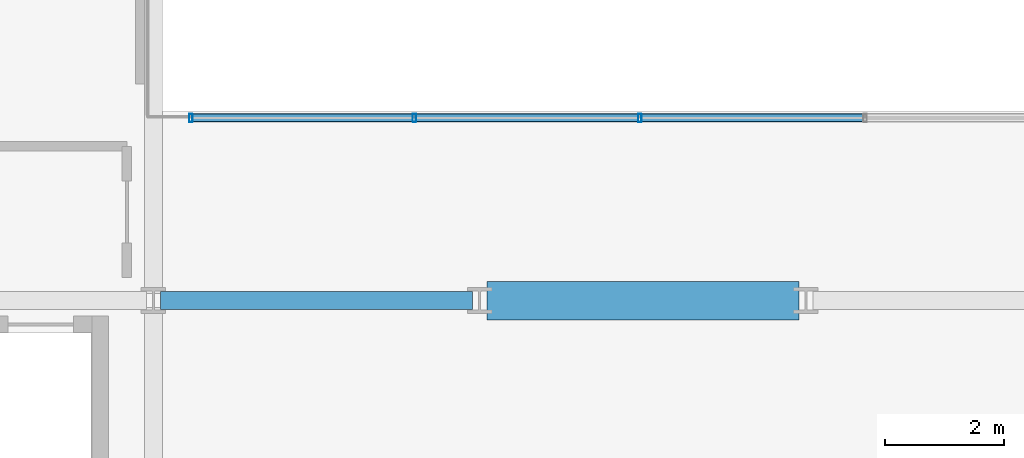
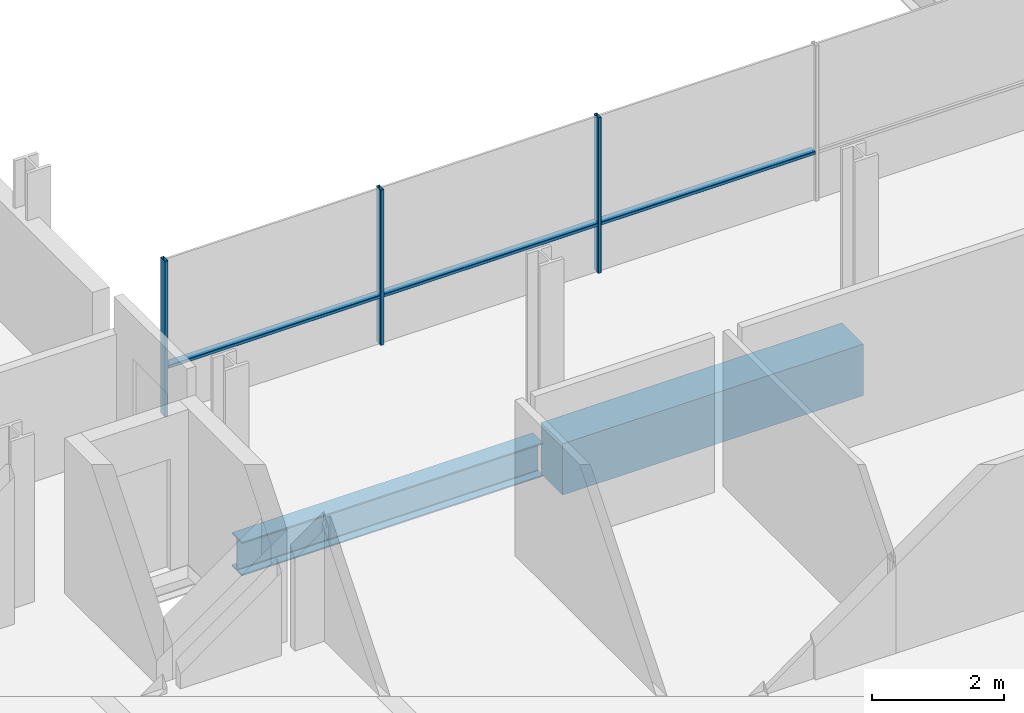
# One storey, part 4 of 40: 6 members, 2 beams, 1 element without a shape of its own.
"""IFC4 building model written with IfcOpenShell, lengths in metres."""

import ifcopenshell
import ifcopenshell.guid

model = None  # the IFC model being written
_history = None  # IfcOwnerHistory: only IFC2X3 demands one
_inside = {}  # id of a spatial element -> (the spatial element, [elements in it])
_under = {}  # id of a project, library or spatial element -> (it, [spatial elements below it])
_declared = {}  # id of a project -> (the project, [libraries it declares])
_typed = {}  # id of a type object -> (the type object, [elements of that type])
_made_of = {}  # id of a material, layer set ... -> (it, [elements and type objects made of it])


def new_model(schema):
    """Start an empty IFC model of exactly this schema.

    Asked for "IFC4X3", IfcOpenShell would pick the latest addendum, in which some entities
    have other attributes; the version numbers below select the first issue.
    IFC2X3 requires an IfcOwnerHistory on every rooted entity: one is made here for all.
    """
    global model, _history
    if schema == "IFC4X3":
        model = ifcopenshell.file(schema_version=(4, 3, 0, 0))
    else:
        model = ifcopenshell.file(schema=schema)
    _inside.clear()
    _under.clear()
    _declared.clear()
    _typed.clear()
    _made_of.clear()
    _history = None
    if model.schema == "IFC2X3":
        org = make("IfcOrganization", Name="unknown")
        user = make(
            "IfcPersonAndOrganization",
            ThePerson=make("IfcPerson", FamilyName="unknown"),
            TheOrganization=org,
        )
        app = make(
            "IfcApplication",
            ApplicationDeveloper=org,
            Version="unknown",
            ApplicationFullName="unknown",
            ApplicationIdentifier="unknown",
        )
        _history = make(
            "IfcOwnerHistory",
            OwningUser=user,
            OwningApplication=app,
            ChangeAction="ADDED",
            CreationDate=0,
        )
    return model


def make(cls, **values):
    """One entity of the class cls with the attributes given. An attribute that is None is left unset."""
    return model.create_entity(
        cls, **{name: value for name, value in values.items() if value is not None}
    )


def rooted(cls, **values):
    """An entity with a GlobalId (a new one), such as an element, a storey or a relation."""
    return make(cls, GlobalId=ifcopenshell.guid.new(), OwnerHistory=_history, **values)


def si_unit(unit_type, name, prefix=None):
    """IfcSIUnit, for example si_unit("LENGTHUNIT", "METRE", prefix="MILLI")."""
    return make("IfcSIUnit", UnitType=unit_type, Prefix=prefix, Name=name)


def assignment(units):
    """IfcUnitAssignment: the units of a project."""
    return None if units is None else make("IfcUnitAssignment", Units=units)


def point(xyz):
    """IfcCartesianPoint."""
    return None if xyz is None else make("IfcCartesianPoint", Coordinates=xyz)


def direction(xyz):
    """IfcDirection."""
    return None if xyz is None else make("IfcDirection", DirectionRatios=xyz)


def frame(location, z_axis=None, x_axis=None):
    """IfcAxis2Placement3D, a coordinate frame: its origin and axes. An axis left out is left unset."""
    return make(
        "IfcAxis2Placement3D",
        Location=point(location),
        Axis=direction(z_axis),
        RefDirection=direction(x_axis),
    )


def frame_2d(location, x_axis=None):
    """IfcAxis2Placement2D, a coordinate frame in the plane: its origin and x axis."""
    return make(
        "IfcAxis2Placement2D", Location=point(location), RefDirection=direction(x_axis)
    )


def origin():
    """The frame at (0, 0, 0) with its axes left unset."""
    return frame((0.0, 0.0, 0.0))


def origin_2d():
    """The frame at (0, 0) in the plane with its x axis left unset."""
    return frame_2d((0.0, 0.0))


def place(relative_to, where):
    """IfcLocalPlacement: puts the frame where relative to a parent placement (None: the world)."""
    return make(
        "IfcLocalPlacement", PlacementRelTo=relative_to, RelativePlacement=where
    )


def context(
    kind, dimensions, precision=None, world=None, true_north=None, identifier=None
):
    """IfcGeometricRepresentationContext, for example the 3D "Model" context."""
    return make(
        "IfcGeometricRepresentationContext",
        ContextIdentifier=identifier,
        ContextType=kind,
        CoordinateSpaceDimension=dimensions,
        Precision=precision,
        WorldCoordinateSystem=world,
        TrueNorth=true_north,
    )


def subcontext(parent, identifier, kind, view, scale=None):
    """IfcGeometricRepresentationSubContext, for example "Body" below "Model"."""
    return make(
        "IfcGeometricRepresentationSubContext",
        ContextIdentifier=identifier,
        ContextType=kind,
        ParentContext=parent,
        TargetScale=scale,
        TargetView=view,
    )


def project(units=None, contexts=None):
    """IfcProject with its units and contexts."""
    return rooted(
        "IfcProject",
        Name="project",
        RepresentationContexts=contexts,
        UnitsInContext=assignment(units),
    )


def spatial(cls, under=None, at=None, **own):
    """A site, building, storey or space (cls), placed at a placement, below another one or the project."""
    s = rooted(cls, ObjectPlacement=at, **own)
    if under is not None:
        _under.setdefault(under.id(), (under, []))[1].append(s)
    return s


def profile(cls, at=None, kind="AREA", **sizes):
    """A parametric profile (cls). Its sizes go by their IFC names, for example OverallWidth=200.0."""
    return make(cls, ProfileType=kind, Position=at, **sizes)


def rectangle(**sizes):
    """IfcRectangleProfileDef."""
    return profile("IfcRectangleProfileDef", **sizes)


def hollow_rectangle(**sizes):
    """IfcRectangleHollowProfileDef."""
    return profile("IfcRectangleHollowProfileDef", **sizes)


def i_section(**sizes):
    """IfcIShapeProfileDef."""
    return profile("IfcIShapeProfileDef", **sizes)


def extrude(swept, where, along, depth):
    """IfcExtrudedAreaSolid: the profile swept, set in the frame where, extruded along a direction by depth."""
    return make(
        "IfcExtrudedAreaSolid",
        SweptArea=swept,
        Position=where,
        ExtrudedDirection=direction(along),
        Depth=depth,
    )


def shape(context_of_items, identifier, shape_type, items):
    """IfcShapeRepresentation: the items that make up one representation, for example the "Body"."""
    return make(
        "IfcShapeRepresentation",
        ContextOfItems=context_of_items,
        RepresentationIdentifier=identifier,
        RepresentationType=shape_type,
        Items=items,
    )


def material(Name=None, Category=None):
    """IfcMaterial."""
    return make("IfcMaterial", Name=Name, Category=Category)


def layer(
    of_material, thickness, ventilated=None, Name=None, Category=None, Priority=None
):
    """IfcMaterialLayer: one layer of a wall or slab, of a material (None: an air gap)."""
    return make(
        "IfcMaterialLayer",
        Material=of_material,
        LayerThickness=thickness,
        IsVentilated=ventilated,
        Name=Name,
        Category=Category,
        Priority=Priority,
    )


def layer_set(layers, Name=None):
    """IfcMaterialLayerSet."""
    return make("IfcMaterialLayerSet", MaterialLayers=layers, LayerSetName=Name)


def material_profile(
    of_material, cross_section, Name=None, Category=None, Priority=None
):
    """IfcMaterialProfile: a cross section and its material."""
    return make(
        "IfcMaterialProfile",
        Name=Name,
        Material=of_material,
        Profile=cross_section,
        Priority=Priority,
        Category=Category,
    )


def profile_set(profiles, Name=None, composite=None):
    """IfcMaterialProfileSet."""
    return make(
        "IfcMaterialProfileSet",
        Name=Name,
        MaterialProfiles=profiles,
        CompositeProfile=composite,
    )


def made_of(thing, what):
    """Note that an element or type object is made of a material, layer set ...; save() writes the relation."""
    if what is not None:
        _made_of.setdefault(what.id(), (what, []))[1].append(thing)
    return thing


def type_object(cls, material=None, **own):
    """A type object (cls), such as IfcWallType, which elements share."""
    return made_of(rooted(cls, **own), material)


def element(
    cls,
    number,
    at=None,
    inside=None,
    cuts=None,
    type_object=None,
    material=None,
    context=None,
    identifier="Body",
    shape_type=None,
    held_by="IfcProductDefinitionShape",
    body=None,
    shapes=None,
    **own,
):
    """One element of the class cls, such as IfcWall. Its Tag is "e" and its number.

    at: its placement. inside: the storey or other place that contains it. cuts: it is an
    opening in that element (IfcRelVoidsElement). A single representation is given by context,
    identifier, shape_type and body (its items); several are given by shapes. held_by: the class
    of the entity that holds the representations. save() writes the other relations.
    """
    e = rooted(cls, Tag="e%d" % number, ObjectPlacement=at, **own)
    if body is not None:
        shapes = [shape(context, identifier, shape_type, body)]
    if shapes is not None:
        e.Representation = make(held_by, Representations=shapes)
    if inside is not None:
        _inside.setdefault(inside.id(), (inside, []))[1].append(e)
    if cuts is not None:
        rooted(
            "IfcRelVoidsElement", RelatingBuildingElement=cuts, RelatedOpeningElement=e
        )
    if type_object is not None:
        _typed.setdefault(type_object.id(), (type_object, []))[1].append(e)
    return made_of(e, material)


def aggregate(whole, parts):
    """IfcRelAggregates: a whole, such as a stair, and the parts it consists of."""
    return rooted("IfcRelAggregates", RelatingObject=whole, RelatedObjects=parts)


def save(model, path):
    """Write the relations noted so far, then the file.

    IfcRelAggregates (storeys below a building ...), IfcRelContainedInSpatialStructure (elements
    in a storey), IfcRelDefinesByType, IfcRelAssociatesMaterial and IfcRelDeclares: one each for
    every whole, place, type object, material and project.
    """
    for whole, parts in _under.values():
        aggregate(whole, parts)
    for where, things in _inside.values():
        rooted(
            "IfcRelContainedInSpatialStructure",
            RelatedElements=things,
            RelatingStructure=where,
        )
    for kind, things in _typed.values():
        rooted("IfcRelDefinesByType", RelatedObjects=things, RelatingType=kind)
    for what, things in _made_of.values():
        rooted("IfcRelAssociatesMaterial", RelatedObjects=things, RelatingMaterial=what)
    for by, libraries in _declared.values():
        rooted("IfcRelDeclares", RelatingContext=by, RelatedDefinitions=libraries)
    model.write(path)


model = new_model("IFC4")

# Units and contexts
model_context = context("Model", 3, precision=1e-05, world=origin(), true_north=direction((0.0, 1.0)))
body_context = subcontext(model_context, "Body", "Model", "MODEL_VIEW")
ifc_project = project(units=[si_unit("LENGTHUNIT", "METRE"), si_unit("AREAUNIT", "SQUARE_METRE"), si_unit("VOLUMEUNIT", "CUBIC_METRE"), si_unit("PLANEANGLEUNIT", "RADIAN"), si_unit("MASSUNIT", "GRAM", prefix="KILO")], contexts=[model_context])

# Site, building, storey
site_placement = place(None, origin())
site = spatial("IfcSite", under=ifc_project, at=site_placement, CompositionType="ELEMENT")
building_placement = place(site_placement, origin())
building = spatial("IfcBuilding", under=site, at=building_placement, Name="Brevholm Reach", CompositionType="ELEMENT")
storey_placement = place(building_placement, frame((0.0, 0.0, 80.699951171875)))
storey = spatial("IfcBuildingStorey", under=building, at=storey_placement, Name="L23", CompositionType="ELEMENT", Elevation=80.699951171875)

# Beams
ifc_material_1 = material(Name="Concrete C60/75", Category="concrete")
ifc_material_profile_1 = material_profile(ifc_material_1, rectangle(XDim=0.64990234375, YDim=0.949951171875, at=origin_2d()), Name="RC 650x950")
ifc_profile_set_1 = profile_set([ifc_material_profile_1], Name="Concrete C60/75")
beam_type_1 = type_object("IfcBeamType", Name="BM-CB650", PredefinedType="LINTEL", material=ifc_profile_set_1)
beam_1_placement = place(storey_placement, frame((27.3701171875, 10.0, -0.704833984375), z_axis=(1.0, 0.0, 0.0), x_axis=(0.0, 1.0, 0.0)))
element("IfcBeam", 1, at=beam_1_placement, inside=storey, type_object=beam_type_1, Name="L23 CB-01 Framing Beam", PredefinedType="LINTEL", context=body_context, shape_type="SweptSolid", body=[
    extrude(rectangle(XDim=0.64990234375, YDim=0.949951171875, at=origin_2d()), origin(), (0.0, 0.0, 1.0), 5.259765625),
])
ifc_material_2 = material(Name="Structural Steel S355J2", Category="steel")
ifc_material_profile_2 = material_profile(ifc_material_2, i_section(OverallWidth=0.30712890625, OverallDepth=0.6201171875, WebThickness=0.01416015625, FlangeThickness=0.023681640625, FilletRadius=0.0166015625, at=origin_2d()), Name="UKB 610x305x179")
ifc_profile_set_2 = profile_set([ifc_material_profile_2], Name="Structural Steel S355J2")
beam_type_2 = type_object("IfcBeamType", Name="BM-UKB610H", PredefinedType="USERDEFINED", material=ifc_profile_set_2)
beam_2_placement = place(storey_placement, frame((21.8701171875, 10.0, -0.5400390625), z_axis=(1.0, 0.0, 0.0), x_axis=(0.0, 1.0, 0.0)))
element("IfcBeam", 2, at=beam_2_placement, inside=storey, type_object=beam_type_2, Name="L23 G-06 Framing Beam", ObjectType="GIRDER", PredefinedType="USERDEFINED", context=body_context, shape_type="SweptSolid", body=[
    extrude(i_section(OverallWidth=0.30712890625, OverallDepth=0.6201171875, WebThickness=0.01416015625, FlangeThickness=0.023681640625, FilletRadius=0.0166015625, at=origin_2d()), origin(), (0.0, 0.0, 1.0), 5.259765625),
])

# Curtain wall, members
ifc_material_3 = material(Name="Dark Anodised Aluminium 6063-T6 and Solar-Control Glass", Category="aluminium")
ifc_layer = layer(ifc_material_3, 0.139892578125)
ifc_layer_set = layer_set([ifc_layer], Name="Dark Anodised Aluminium 6063-T6 and Solar-Control Glass")
curtain_wall_type = type_object("IfcCurtainWallType", Name="CW-02", PredefinedType="NOTDEFINED", material=ifc_layer_set)
curtain_wall_placement = place(storey_placement, origin())
curtain_wall = element("IfcCurtainWall", 3, at=curtain_wall_placement, inside=storey, type_object=curtain_wall_type, Name="L23 Curtain Wall CW-02", PredefinedType="NOTDEFINED")
ifc_material_4 = material(Name="Dark Anodised Aluminium 6063-T6", Category="aluminium")
ifc_material_profile_3 = material_profile(ifc_material_4, hollow_rectangle(XDim=0.06005859375, YDim=0.139892578125, WallThickness=0.0048828125, InnerFilletRadius=0.0048828125, OuterFilletRadius=0.010009765625, at=origin_2d()), Name="RHS 140x60x5")
ifc_profile_set_3 = profile_set([ifc_material_profile_3], Name="Dark Anodised Aluminium 6063-T6")
member_type_1 = type_object("IfcMemberType", Name="CWM-140", PredefinedType="MULLION", material=ifc_profile_set_3)
member_1_placement = place(storey_placement, frame((22.3798828125, 13.080078125, 0.0), z_axis=(0.0, 0.0, 1.0), x_axis=(1.0, 0.0, 0.0)))
member_1 = element("IfcMember", 4, at=member_1_placement, type_object=member_type_1, Name="CM-140 Mullion 1", PredefinedType="MULLION", context=body_context, shape_type="SweptSolid", body=[
    extrude(hollow_rectangle(XDim=0.06005859375, YDim=0.139892578125, WallThickness=0.0048828125, InnerFilletRadius=0.0048828125, OuterFilletRadius=0.010009765625, at=origin_2d()), origin(), (0.0, 0.0, 1.0), 2.8701171875),
])
member_2_placement = place(storey_placement, frame((26.14990234375, 13.080078125, 0.0), z_axis=(0.0, 0.0, 1.0), x_axis=(1.0, 0.0, 0.0)))
member_2 = element("IfcMember", 5, at=member_2_placement, type_object=member_type_1, Name="CM-140 Mullion 2", PredefinedType="MULLION", context=body_context, shape_type="SweptSolid", body=[
    extrude(hollow_rectangle(XDim=0.06005859375, YDim=0.139892578125, WallThickness=0.0048828125, InnerFilletRadius=0.0048828125, OuterFilletRadius=0.010009765625, at=origin_2d()), origin(), (0.0, 0.0, 1.0), 2.8701171875),
])
member_3_placement = place(storey_placement, frame((29.949951171875, 13.080078125, 0.0), z_axis=(0.0, 0.0, 1.0), x_axis=(1.0, 0.0, 0.0)))
member_3 = element("IfcMember", 6, at=member_3_placement, type_object=member_type_1, Name="CM-140 Mullion 3", PredefinedType="MULLION", context=body_context, shape_type="SweptSolid", body=[
    extrude(hollow_rectangle(XDim=0.06005859375, YDim=0.139892578125, WallThickness=0.0048828125, InnerFilletRadius=0.0048828125, OuterFilletRadius=0.010009765625, at=origin_2d()), origin(), (0.0, 0.0, 1.0), 2.8701171875),
])
ifc_material_5 = material(Name="Dark Anodised Aluminium 6063-T6", Category="aluminium")
ifc_material_profile_4 = material_profile(ifc_material_5, hollow_rectangle(XDim=0.06005859375, YDim=0.139892578125, WallThickness=0.0048828125, InnerFilletRadius=0.0048828125, OuterFilletRadius=0.010009765625, at=origin_2d()), Name="RHS 140x60x5")
ifc_profile_set_4 = profile_set([ifc_material_profile_4], Name="Dark Anodised Aluminium 6063-T6")
member_type_2 = type_object("IfcMemberType", Name="CWT-140", PredefinedType="NOTDEFINED", material=ifc_profile_set_4)
member_4_placement = place(storey_placement, frame((22.409912109375, 13.080078125, 0.900146484375), z_axis=(1.0, 0.0, 0.0), x_axis=(0.0, 0.0, 1.0)))
member_4 = element("IfcMember", 7, at=member_4_placement, type_object=member_type_2, Name="CT-140 Transom 1.1", ObjectType="TRANSOM", PredefinedType="USERDEFINED", context=body_context, shape_type="SweptSolid", body=[
    extrude(hollow_rectangle(XDim=0.06005859375, YDim=0.139892578125, WallThickness=0.0048828125, InnerFilletRadius=0.0048828125, OuterFilletRadius=0.010009765625, at=origin_2d()), origin(), (0.0, 0.0, 1.0), 3.710205078125),
])
member_5_placement = place(storey_placement, frame((26.179931640625, 13.080078125, 0.900146484375), z_axis=(1.0, 0.0, 0.0), x_axis=(0.0, 0.0, 1.0)))
member_5 = element("IfcMember", 8, at=member_5_placement, type_object=member_type_2, Name="CT-140 Transom 2.1", ObjectType="TRANSOM", PredefinedType="USERDEFINED", context=body_context, shape_type="SweptSolid", body=[
    extrude(hollow_rectangle(XDim=0.06005859375, YDim=0.139892578125, WallThickness=0.0048828125, InnerFilletRadius=0.0048828125, OuterFilletRadius=0.010009765625, at=origin_2d()), origin(), (0.0, 0.0, 1.0), 3.739990234375),
])
member_6_placement = place(storey_placement, frame((29.97998046875, 13.080078125, 0.900146484375), z_axis=(1.0, 0.0, 0.0), x_axis=(0.0, 0.0, 1.0)))
member_6 = element("IfcMember", 9, at=member_6_placement, type_object=member_type_2, Name="CT-140 Transom 3.1", ObjectType="TRANSOM", PredefinedType="USERDEFINED", context=body_context, shape_type="SweptSolid", body=[
    extrude(hollow_rectangle(XDim=0.06005859375, YDim=0.139892578125, WallThickness=0.0048828125, InnerFilletRadius=0.0048828125, OuterFilletRadius=0.010009765625, at=origin_2d()), origin(), (0.0, 0.0, 1.0), 3.739990234375),
])
aggregate(curtain_wall, [member_1, member_2, member_3, member_4, member_5, member_6])

save(model, "model.ifc")
